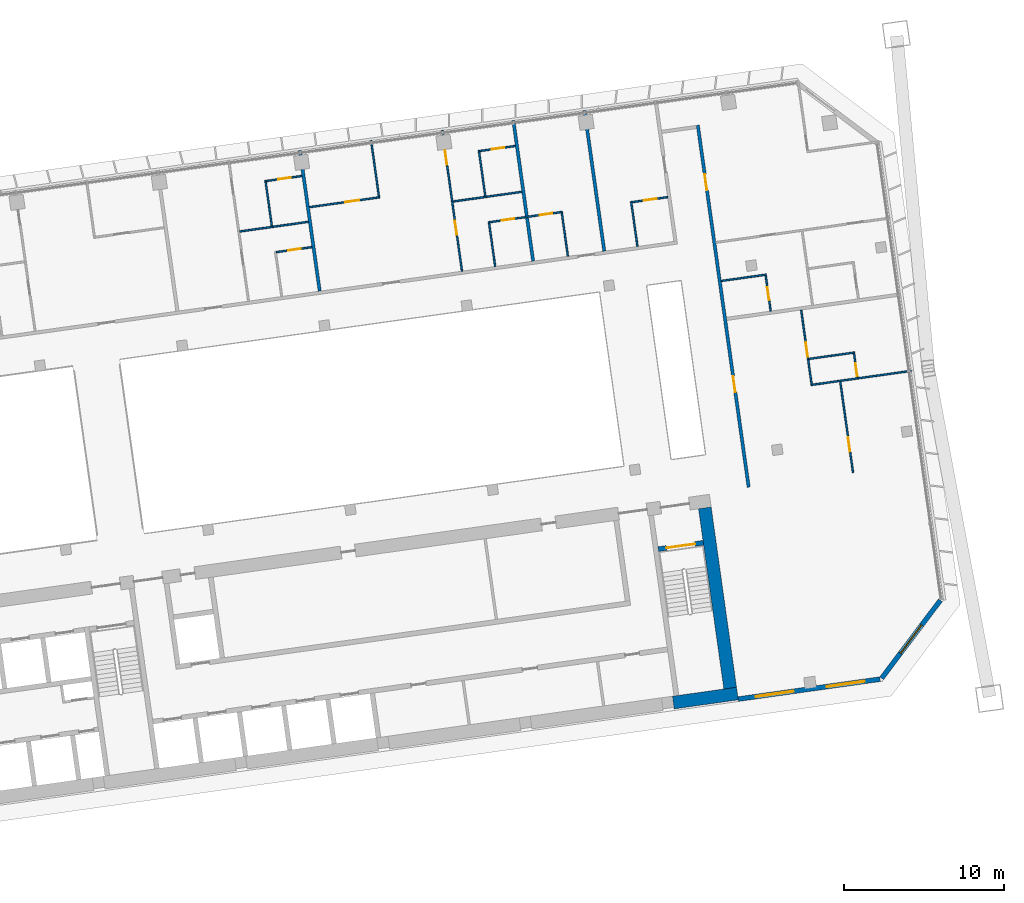
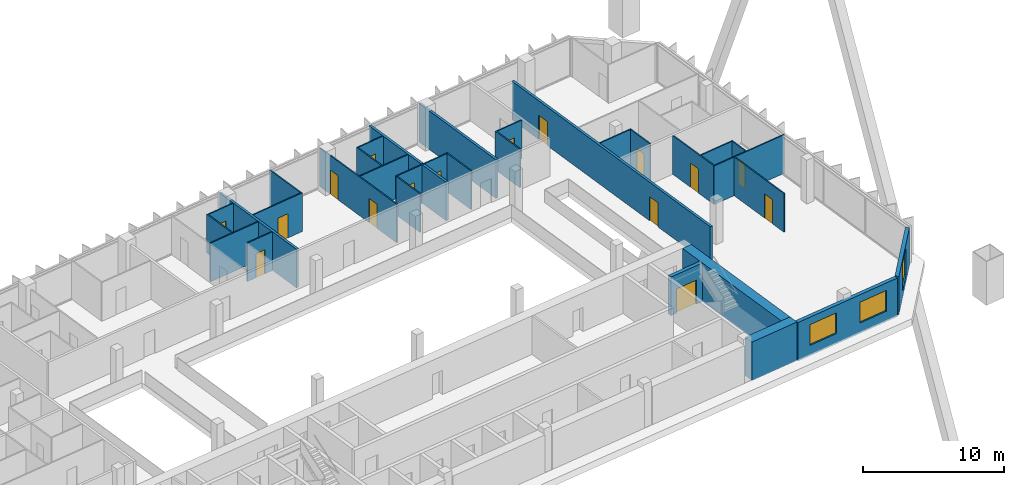
# One storey, part 29 of 33: 31 walls, 16 doors, 3 windows, 19 openings.
"""IFC4 building model written with IfcOpenShell, lengths in metres."""

from ifc_helpers import new_model, si_unit, direction, frame, frame_2d, origin, place, context, subcontext, project, spatial, rectangle, extrude, material, layer, layer_set, type_object, element, fill, save


model = new_model("IFC4")

# Units and contexts
model_context = context("Model", 3, precision=1e-05, world=origin(), true_north=direction((0.0, 1.0)))
body_context = subcontext(model_context, "Body", "Model", "MODEL_VIEW")
ifc_project = project(units=[si_unit("LENGTHUNIT", "METRE"), si_unit("AREAUNIT", "SQUARE_METRE"), si_unit("VOLUMEUNIT", "CUBIC_METRE"), si_unit("PLANEANGLEUNIT", "RADIAN"), si_unit("MASSUNIT", "GRAM", prefix="KILO")], contexts=[model_context])

# Site, building, storey
site_placement = place(None, origin())
site = spatial("IfcSite", under=ifc_project, at=site_placement, CompositionType="ELEMENT")
building_placement = place(site_placement, origin())
building = spatial("IfcBuilding", under=site, at=building_placement, Name="Mirante Cascada Hotel Towers", CompositionType="ELEMENT")
storey_placement = place(building_placement, frame((0.0, 0.0, 121.5)))
storey = spatial("IfcBuildingStorey", under=building, at=storey_placement, Name="L27", CompositionType="ELEMENT", Elevation=121.5)

# Walls
ifc_material_1 = material(Name="Fire-rated plasterboard on metal studs")
ifc_layer_1 = layer(ifc_material_1, 0.2)
ifc_layer_set_1 = layer_set([ifc_layer_1], Name="Compartment wall 200 EI 120")
wall_type_1 = type_object("IfcWallType", Name="Compartment wall 200 EI 120", PredefinedType="PARTITIONING", material=ifc_layer_set_1)
for number, where, z_axis, x_axis, name in (
    (1, (64.244, 13.0119, 0.0), (0.0, 0.0, 1.0), (-0.1391684, 0.9902687, 0.0), "Wall 2-L27-46"),
    (2, (76.374, 23.7042, 0.0), (0.0, 0.0, 1.0), (0.1391684, -0.9902687, 0.0), "Wall 2-L27-51"),
):
    element("IfcWall", number, at=place(storey_placement, frame(where, z_axis=z_axis, x_axis=x_axis)), inside=storey, type_object=wall_type_1, Name=name, PredefinedType="PARTITIONING", context=body_context, shape_type="SweptSolid", body=[
        extrude(rectangle(XDim=8.9, YDim=0.2, at=frame_2d((4.45, 0.0))), origin(), (0.0, 0.0, 1.0), 3.35),
    ])
wall_1_placement = place(storey_placement, frame((80.8302, 24.3304, 0.0), z_axis=(0.0, 0.0, 1.0), x_axis=(0.13917, -0.9902685, 0.0)))
element("IfcWall", 3, at=wall_1_placement, inside=storey, type_object=wall_type_1, Name="Wall 2-L27-53", PredefinedType="PARTITIONING", context=body_context, shape_type="SweptSolid", body=[
    extrude(rectangle(XDim=8.8999, YDim=0.2, at=frame_2d((4.45, 0.0))), origin(), (0.0, 0.0, 1.0), 3.35),
])

# Wall, openings, doors
wall_2_placement = place(storey_placement, frame((91.1145, 0.7321, 0.0), z_axis=(0.0, 0.0, 1.0), x_axis=(-0.1391706, 0.9902684, 0.0)))
wall_2 = element("IfcWall", 4, at=wall_2_placement, inside=storey, type_object=wall_type_1, Name="Wall 2-L27-56", PredefinedType="PARTITIONING", context=body_context, shape_type="SweptSolid", body=[
    extrude(rectangle(XDim=22.9, YDim=0.2, at=frame_2d((11.45, 0.0))), origin(), (0.0, 0.0, 1.0), 3.35),
])
opening_1_placement = place(wall_2_placement, frame((6.0167, 0.0, 0.0)))
opening_1 = element("IfcOpeningElement", 5, at=opening_1_placement, cuts=wall_2, Name="Opening D2-L27-35", PredefinedType="OPENING", context=body_context, shape_type="SweptSolid", body=[
    extrude(rectangle(XDim=1.0, YDim=2.1, at=frame_2d((0.5, 1.05))), frame((0.0, 0.1, 0.0), z_axis=(0.0, -1.0, 0.0), x_axis=(1.0, 0.0, 0.0)), (0.0, 0.0, 1.0), 0.2),
])
opening_2_placement = place(wall_2_placement, frame((18.8, 0.0, 0.0)))
opening_2 = element("IfcOpeningElement", 6, at=opening_2_placement, cuts=wall_2, Name="Opening D2-L27-36", PredefinedType="OPENING", context=body_context, shape_type="SweptSolid", body=[
    extrude(rectangle(XDim=1.0, YDim=2.1, at=frame_2d((0.5, 1.05))), frame((0.0, 0.1, 0.0), z_axis=(0.0, -1.0, 0.0), x_axis=(1.0, 0.0, 0.0)), (0.0, 0.0, 1.0), 0.2),
])
ifc_material_2 = material(Name="Fire-rated timber door leaf", Category="wood")
door_type_1 = type_object("IfcDoorType", Name="Entrance door DG1 1000x2100 EI 60", OperationType="SINGLE_SWING_LEFT", PredefinedType="DOOR", material=ifc_material_2)
door_1_placement = place(opening_1_placement, frame((1.0, 0.0, 0.0), z_axis=(0.0, 0.0, 1.0), x_axis=(-1.0, 0.0, 0.0)))
door_1 = element("IfcDoor", 7, at=door_1_placement, inside=storey, type_object=door_type_1, Name="Door D2-L27-35", OperationType="SINGLE_SWING_RIGHT", OverallHeight=2.1, OverallWidth=1.0, PredefinedType="DOOR", context=body_context, shape_type="SweptSolid", body=[
    extrude(rectangle(XDim=1.0, YDim=2.1, at=frame_2d((0.5, 1.05))), frame((0.0, 0.025, 0.0), z_axis=(0.0, -1.0, 0.0), x_axis=(1.0, 0.0, 0.0)), (0.0, 0.0, 1.0), 0.05),
])
fill(opening_1, door_1)
door_2_placement = place(opening_2_placement, frame((1.0, 0.0, 0.0), z_axis=(0.0, 0.0, 1.0), x_axis=(-1.0, 0.0, 0.0)))
door_2 = element("IfcDoor", 8, at=door_2_placement, inside=storey, type_object=door_type_1, Name="Door D2-L27-36", OperationType="SINGLE_SWING_RIGHT", OverallHeight=2.1, OverallWidth=1.0, PredefinedType="DOOR", context=body_context, shape_type="SweptSolid", body=[
    extrude(rectangle(XDim=1.0, YDim=2.1, at=frame_2d((0.5, 1.05))), frame((0.0, 0.025, 0.0), z_axis=(0.0, -1.0, 0.0), x_axis=(1.0, 0.0, 0.0)), (0.0, 0.0, 1.0), 0.05),
])
fill(opening_2, door_2)

# Walls
ifc_material_3 = material(Name="Plasterboard on metal studs")
ifc_layer_2 = layer(ifc_material_3, 0.1)
ifc_layer_set_2 = layer_set([ifc_layer_2], Name="Partition 100")
wall_type_2 = type_object("IfcWallType", Name="Partition 100", PredefinedType="PARTITIONING", material=ifc_layer_set_2)
wall_3_placement = place(storey_placement, frame((95.0111, 7.1367, 0.0), z_axis=(0.0, 0.0, 1.0), x_axis=(0.990267, 0.139181, 0.0)))
element("IfcWall", 9, at=wall_3_placement, inside=storey, type_object=wall_type_2, Name="Wall 2-L27-04", PredefinedType="PARTITIONING", context=body_context, shape_type="SweptSolid", body=[
    extrude(rectangle(XDim=6.35, YDim=0.1, at=frame_2d((3.175, 0.0))), origin(), (0.0, 0.0, 1.0), 3.35),
])
wall_4_placement = place(storey_placement, frame((97.7546, 9.1716, 0.0), z_axis=(0.0, 0.0, 1.0), x_axis=(-0.9902683, -0.1391714, 0.0)))
element("IfcWall", 10, at=wall_4_placement, inside=storey, type_object=wall_type_2, Name="Wall 2-L27-05", PredefinedType="PARTITIONING", context=body_context, shape_type="SweptSolid", body=[
    extrude(rectangle(XDim=2.9, YDim=0.1, at=frame_2d((1.45, 0.0))), origin(), (0.0, 0.0, 1.0), 3.35),
])
wall_5_placement = place(storey_placement, frame((89.3997, 13.6525, 0.0), z_axis=(0.0, 0.0, 1.0), x_axis=(0.9902697, 0.1391613, 0.0)))
element("IfcWall", 11, at=wall_5_placement, inside=storey, type_object=wall_type_2, Name="Wall 2-L27-12", PredefinedType="PARTITIONING", context=body_context, shape_type="SweptSolid", body=[
    extrude(rectangle(XDim=2.8499, YDim=0.1, at=frame_2d((1.425, 0.0))), origin(), (0.0, 0.0, 1.0), 3.35),
])

# Wall, opening, door
wall_6_placement = place(storey_placement, frame((61.5272, 15.4576, 0.0), z_axis=(0.0, 0.0, 1.0), x_axis=(0.9902643, 0.1391997, 0.0)))
wall_6 = element("IfcWall", 12, at=wall_6_placement, inside=storey, type_object=wall_type_2, Name="Wall 2-L27-18", PredefinedType="PARTITIONING", context=body_context, shape_type="SweptSolid", body=[
    extrude(rectangle(XDim=2.25, YDim=0.1, at=frame_2d((1.125, 0.0))), origin(), (0.0, 0.0, 1.0), 3.35),
])
opening_3_placement = place(wall_6_placement, frame((0.75, 0.0, 0.0)))
opening_3 = element("IfcOpeningElement", 13, at=opening_3_placement, cuts=wall_6, Name="Opening D2-L27-14", PredefinedType="OPENING", context=body_context, shape_type="SweptSolid", body=[
    extrude(rectangle(XDim=0.8, YDim=2.1, at=frame_2d((0.4, 1.05))), frame((0.0, 0.05, 0.0), z_axis=(0.0, -1.0, 0.0), x_axis=(1.0, 0.0, 0.0)), (0.0, 0.0, 1.0), 0.1),
])
ifc_material_4 = material(Name="Timber door leaf", Category="wood")
door_type_2 = type_object("IfcDoorType", Name="Bathroom door DG4 800x2100", OperationType="SINGLE_SWING_LEFT", PredefinedType="DOOR", material=ifc_material_4)
door_3_placement = place(opening_3_placement, frame((0.8, 0.0, 0.0), z_axis=(0.0, 0.0, 1.0), x_axis=(-1.0, 0.0, 0.0)))
door_3 = element("IfcDoor", 14, at=door_3_placement, inside=storey, type_object=door_type_2, Name="Door D2-L27-14", OperationType="SINGLE_SWING_RIGHT", OverallHeight=2.1, OverallWidth=0.8, PredefinedType="DOOR", context=body_context, shape_type="SweptSolid", body=[
    extrude(rectangle(XDim=0.8, YDim=2.1, at=frame_2d((0.4, 1.05))), frame((0.0, 0.025, 0.0), z_axis=(0.0, -1.0, 0.0), x_axis=(1.0, 0.0, 0.0)), (0.0, 0.0, 1.0), 0.05),
])
fill(opening_3, door_3)

# Wall, openings, doors
wall_7_placement = place(storey_placement, frame((79.451, 17.9767, 0.0), z_axis=(0.0, 0.0, 1.0), x_axis=(-0.9902682, -0.139172, 0.0)))
wall_7 = element("IfcWall", 15, at=wall_7_placement, inside=storey, type_object=wall_type_2, Name="Wall 2-L27-19", PredefinedType="PARTITIONING", context=body_context, shape_type="SweptSolid", body=[
    extrude(rectangle(XDim=4.6999, YDim=0.1, at=frame_2d((2.35, 0.0))), origin(), (0.0, 0.0, 1.0), 3.35),
])
opening_4_placement = place(wall_7_placement, frame((3.05, 0.0, 0.0)))
opening_4 = element("IfcOpeningElement", 16, at=opening_4_placement, cuts=wall_7, Name="Opening D2-L27-15", PredefinedType="OPENING", context=body_context, shape_type="SweptSolid", body=[
    extrude(rectangle(XDim=0.8, YDim=2.1, at=frame_2d((0.4, 1.05))), frame((0.0, 0.05, 0.0), z_axis=(0.0, -1.0, 0.0), x_axis=(1.0, 0.0, 0.0)), (0.0, 0.0, 1.0), 0.1),
])
opening_5_placement = place(wall_7_placement, frame((0.65, 0.0, 0.0)))
opening_5 = element("IfcOpeningElement", 17, at=opening_5_placement, cuts=wall_7, Name="Opening D2-L27-16", PredefinedType="OPENING", context=body_context, shape_type="SweptSolid", body=[
    extrude(rectangle(XDim=0.8, YDim=2.1, at=frame_2d((0.4, 1.05))), frame((0.0, 0.05, 0.0), z_axis=(0.0, -1.0, 0.0), x_axis=(1.0, 0.0, 0.0)), (0.0, 0.0, 1.0), 0.1),
])
door_4_placement = place(opening_4_placement, origin())
door_4 = element("IfcDoor", 18, at=door_4_placement, inside=storey, type_object=door_type_2, Name="Door D2-L27-15", OperationType="SINGLE_SWING_LEFT", OverallHeight=2.1, OverallWidth=0.8, PredefinedType="DOOR", context=body_context, shape_type="SweptSolid", body=[
    extrude(rectangle(XDim=0.8, YDim=2.1, at=frame_2d((0.4, 1.05))), frame((0.0, 0.025, 0.0), z_axis=(0.0, -1.0, 0.0), x_axis=(1.0, 0.0, 0.0)), (0.0, 0.0, 1.0), 0.05),
])
fill(opening_4, door_4)
door_5_placement = place(opening_5_placement, frame((0.8, 0.0, 0.0), z_axis=(0.0, 0.0, 1.0), x_axis=(-1.0, 0.0, 0.0)))
door_5 = element("IfcDoor", 19, at=door_5_placement, inside=storey, type_object=door_type_2, Name="Door D2-L27-16", OperationType="SINGLE_SWING_RIGHT", OverallHeight=2.1, OverallWidth=0.8, PredefinedType="DOOR", context=body_context, shape_type="SweptSolid", body=[
    extrude(rectangle(XDim=0.8, YDim=2.1, at=frame_2d((0.4, 1.05))), frame((0.0, 0.025, 0.0), z_axis=(0.0, -1.0, 0.0), x_axis=(1.0, 0.0, 0.0)), (0.0, 0.0, 1.0), 0.05),
])
fill(opening_5, door_5)

# Wall, opening, door
wall_8_placement = place(storey_placement, frame((83.8082, 18.589, 0.0), z_axis=(0.0, 0.0, 1.0), x_axis=(0.9902643, 0.1391997, 0.0)))
wall_8 = element("IfcWall", 20, at=wall_8_placement, inside=storey, type_object=wall_type_2, Name="Wall 2-L27-20", PredefinedType="PARTITIONING", context=body_context, shape_type="SweptSolid", body=[
    extrude(rectangle(XDim=2.25, YDim=0.1, at=frame_2d((1.125, 0.0))), origin(), (0.0, 0.0, 1.0), 3.35),
])
opening_6_placement = place(wall_8_placement, frame((0.75, 0.0, 0.0)))
opening_6 = element("IfcOpeningElement", 21, at=opening_6_placement, cuts=wall_8, Name="Opening D2-L27-17", PredefinedType="OPENING", context=body_context, shape_type="SweptSolid", body=[
    extrude(rectangle(XDim=0.8, YDim=2.1, at=frame_2d((0.4, 1.05))), frame((0.0, 0.05, 0.0), z_axis=(0.0, -1.0, 0.0), x_axis=(1.0, 0.0, 0.0)), (0.0, 0.0, 1.0), 0.1),
])
door_6_placement = place(opening_6_placement, origin())
door_6 = element("IfcDoor", 22, at=door_6_placement, inside=storey, type_object=door_type_2, Name="Door D2-L27-17", OperationType="SINGLE_SWING_LEFT", OverallHeight=2.1, OverallWidth=0.8, PredefinedType="DOOR", context=body_context, shape_type="SweptSolid", body=[
    extrude(rectangle(XDim=0.8, YDim=2.1, at=frame_2d((0.4, 1.05))), frame((0.0, 0.025, 0.0), z_axis=(0.0, -1.0, 0.0), x_axis=(1.0, 0.0, 0.0)), (0.0, 0.0, 1.0), 0.05),
])
fill(opening_6, door_6)

# Walls
wall_9_placement = place(storey_placement, frame((59.2249, 16.7498, 0.0), z_axis=(0.0, 0.0, 1.0), x_axis=(0.9902683, 0.1391714, 0.0)))
element("IfcWall", 23, at=wall_9_placement, inside=storey, type_object=wall_type_2, Name="Wall 2-L27-22", PredefinedType="PARTITIONING", context=body_context, shape_type="SweptSolid", body=[
    extrude(rectangle(XDim=4.35, YDim=0.1, at=frame_2d((2.175, 0.0))), origin(), (0.0, 0.0, 1.0), 3.35),
])
wall_10_placement = place(storey_placement, frame((76.9012, 19.234, 0.0), z_axis=(0.0, 0.0, 1.0), x_axis=(-0.9902679, -0.1391745, 0.0)))
element("IfcWall", 24, at=wall_10_placement, inside=storey, type_object=wall_type_2, Name="Wall 2-L27-23", PredefinedType="PARTITIONING", context=body_context, shape_type="SweptSolid", body=[
    extrude(rectangle(XDim=4.3499, YDim=0.1, at=frame_2d((2.175, 0.0))), origin(), (0.0, 0.0, 1.0), 3.35),
])

# Wall, opening, door
wall_11_placement = place(storey_placement, frame((63.6054, 18.2743, 0.0), z_axis=(0.0, 0.0, 1.0), x_axis=(0.9902687, 0.1391684, 0.0)))
wall_11 = element("IfcWall", 25, at=wall_11_placement, inside=storey, type_object=wall_type_2, Name="Wall 2-L27-26", PredefinedType="PARTITIONING", context=body_context, shape_type="SweptSolid", body=[
    extrude(rectangle(XDim=4.45, YDim=0.1, at=frame_2d((2.225, 0.0))), origin(), (0.0, 0.0, 1.0), 3.35),
])
opening_7_placement = place(wall_11_placement, frame((2.25, 0.0, 0.0)))
opening_7 = element("IfcOpeningElement", 26, at=opening_7_placement, cuts=wall_11, Name="Opening D2-L27-19", PredefinedType="OPENING", context=body_context, shape_type="SweptSolid", body=[
    extrude(rectangle(XDim=0.9, YDim=2.1, at=frame_2d((0.45, 1.05))), frame((0.0, 0.05, 0.0), z_axis=(0.0, -1.0, 0.0), x_axis=(1.0, 0.0, 0.0)), (0.0, 0.0, 1.0), 0.1),
])
ifc_material_5 = material(Name="Timber door leaf", Category="wood")
door_type_3 = type_object("IfcDoorType", Name="Room door DG3 900x2100", OperationType="SINGLE_SWING_LEFT", PredefinedType="DOOR", material=ifc_material_5)
door_7_placement = place(opening_7_placement, frame((0.9, 0.0, 0.0), z_axis=(0.0, 0.0, 1.0), x_axis=(-1.0, 0.0, 0.0)))
door_7 = element("IfcDoor", 27, at=door_7_placement, inside=storey, type_object=door_type_3, Name="Door D2-L27-19", OperationType="SINGLE_SWING_RIGHT", OverallHeight=2.1, OverallWidth=0.9, PredefinedType="DOOR", context=body_context, shape_type="SweptSolid", body=[
    extrude(rectangle(XDim=0.9, YDim=2.1, at=frame_2d((0.45, 1.05))), frame((0.0, 0.025, 0.0), z_axis=(0.0, -1.0, 0.0), x_axis=(1.0, 0.0, 0.0)), (0.0, 0.0, 1.0), 0.05),
])
fill(opening_7, door_7)

wall_12_placement = place(storey_placement, frame((60.9009, 19.9138, 0.0), z_axis=(0.0, 0.0, 1.0), x_axis=(0.9902643, 0.1391997, 0.0)))
wall_12 = element("IfcWall", 28, at=wall_12_placement, inside=storey, type_object=wall_type_2, Name="Wall 2-L27-30", PredefinedType="PARTITIONING", context=body_context, shape_type="SweptSolid", body=[
    extrude(rectangle(XDim=2.25, YDim=0.1, at=frame_2d((1.125, 0.0))), origin(), (0.0, 0.0, 1.0), 3.35),
])
opening_8_placement = place(wall_12_placement, frame((0.75, 0.0, 0.0)))
opening_8 = element("IfcOpeningElement", 29, at=opening_8_placement, cuts=wall_12, Name="Opening D2-L27-21", PredefinedType="OPENING", context=body_context, shape_type="SweptSolid", body=[
    extrude(rectangle(XDim=0.8, YDim=2.1, at=frame_2d((0.4, 1.05))), frame((0.0, 0.05, 0.0), z_axis=(0.0, -1.0, 0.0), x_axis=(1.0, 0.0, 0.0)), (0.0, 0.0, 1.0), 0.1),
])
door_8_placement = place(opening_8_placement, frame((0.8, 0.0, 0.0), z_axis=(0.0, 0.0, 1.0), x_axis=(-1.0, 0.0, 0.0)))
door_8 = element("IfcDoor", 30, at=door_8_placement, inside=storey, type_object=door_type_2, Name="Door D2-L27-21", OperationType="SINGLE_SWING_RIGHT", OverallHeight=2.1, OverallWidth=0.8, PredefinedType="DOOR", context=body_context, shape_type="SweptSolid", body=[
    extrude(rectangle(XDim=0.8, YDim=2.1, at=frame_2d((0.4, 1.05))), frame((0.0, 0.025, 0.0), z_axis=(0.0, -1.0, 0.0), x_axis=(1.0, 0.0, 0.0)), (0.0, 0.0, 1.0), 0.05),
])
fill(opening_8, door_8)

wall_13_placement = place(storey_placement, frame((76.4976, 22.1058, 0.0), z_axis=(0.0, 0.0, 1.0), x_axis=(-0.9902705, -0.1391561, 0.0)))
wall_13 = element("IfcWall", 31, at=wall_13_placement, inside=storey, type_object=wall_type_2, Name="Wall 2-L27-31", PredefinedType="PARTITIONING", context=body_context, shape_type="SweptSolid", body=[
    extrude(rectangle(XDim=2.25, YDim=0.1, at=frame_2d((1.125, 0.0))), origin(), (0.0, 0.0, 1.0), 3.35),
])
opening_9_placement = place(wall_13_placement, frame((0.7, 0.0, 0.0)))
opening_9 = element("IfcOpeningElement", 32, at=opening_9_placement, cuts=wall_13, Name="Opening D2-L27-22", PredefinedType="OPENING", context=body_context, shape_type="SweptSolid", body=[
    extrude(rectangle(XDim=0.8, YDim=2.1, at=frame_2d((0.4, 1.05))), frame((0.0, 0.05, 0.0), z_axis=(0.0, -1.0, 0.0), x_axis=(1.0, 0.0, 0.0)), (0.0, 0.0, 1.0), 0.1),
])
door_9_placement = place(opening_9_placement, origin())
door_9 = element("IfcDoor", 33, at=door_9_placement, inside=storey, type_object=door_type_2, Name="Door D2-L27-22", OperationType="SINGLE_SWING_LEFT", OverallHeight=2.1, OverallWidth=0.8, PredefinedType="DOOR", context=body_context, shape_type="SweptSolid", body=[
    extrude(rectangle(XDim=0.8, YDim=2.1, at=frame_2d((0.4, 1.05))), frame((0.0, 0.025, 0.0), z_axis=(0.0, -1.0, 0.0), x_axis=(1.0, 0.0, 0.0)), (0.0, 0.0, 1.0), 0.05),
])
fill(opening_9, door_9)

# Walls
wall_14_placement = place(storey_placement, frame((60.8444, 19.9564, 0.0), z_axis=(0.0, 0.0, 1.0), x_axis=(0.1391714, -0.9902683, 0.0)))
element("IfcWall", 34, at=wall_14_placement, inside=storey, type_object=wall_type_2, Name="Wall 2-L27-45", PredefinedType="PARTITIONING", context=body_context, shape_type="SweptSolid", body=[
    extrude(rectangle(XDim=2.9, YDim=0.1, at=frame_2d((1.45, 0.0))), origin(), (0.0, 0.0, 1.0), 3.35),
])
wall_15_placement = place(storey_placement, frame((67.4616, 22.4516, 0.0), z_axis=(0.0, 0.0, 1.0), x_axis=(0.1391573, -0.9902703, 0.0)))
element("IfcWall", 35, at=wall_15_placement, inside=storey, type_object=wall_type_2, Name="Wall 2-L27-47", PredefinedType="PARTITIONING", context=body_context, shape_type="SweptSolid", body=[
    extrude(rectangle(XDim=3.5499, YDim=0.1, at=frame_2d((1.775, 0.0))), origin(), (0.0, 0.0, 1.0), 3.35),
])

# Wall, openings, doors
wall_16_placement = place(storey_placement, frame((73.1564, 14.2645, 0.0), z_axis=(0.0, 0.0, 1.0), x_axis=(-0.1391684, 0.9902687, 0.0)))
wall_16 = element("IfcWall", 36, at=wall_16_placement, inside=storey, type_object=wall_type_2, Name="Wall 2-L27-48", PredefinedType="PARTITIONING", context=body_context, shape_type="SweptSolid", body=[
    extrude(rectangle(XDim=8.9, YDim=0.1, at=frame_2d((4.45, 0.0))), origin(), (0.0, 0.0, 1.0), 3.35),
])
opening_10_placement = place(wall_16_placement, frame((2.3, 0.0, 0.0)))
opening_10 = element("IfcOpeningElement", 37, at=opening_10_placement, cuts=wall_16, Name="Opening D2-L27-32", PredefinedType="OPENING", context=body_context, shape_type="SweptSolid", body=[
    extrude(rectangle(XDim=0.9, YDim=2.1, at=frame_2d((0.45, 1.05))), frame((0.0, 0.05, 0.0), z_axis=(0.0, -1.0, 0.0), x_axis=(1.0, 0.0, 0.0)), (0.0, 0.0, 1.0), 0.1),
])
opening_11_placement = place(wall_16_placement, frame((6.75, 0.0, 0.0)))
opening_11 = element("IfcOpeningElement", 38, at=opening_11_placement, cuts=wall_16, Name="Opening D2-L27-33", PredefinedType="OPENING", context=body_context, shape_type="SweptSolid", body=[
    extrude(rectangle(XDim=0.9, YDim=2.1, at=frame_2d((0.45, 1.05))), frame((0.0, 0.05, 0.0), z_axis=(0.0, -1.0, 0.0), x_axis=(1.0, 0.0, 0.0)), (0.0, 0.0, 1.0), 0.1),
])
door_10_placement = place(opening_10_placement, origin())
door_10 = element("IfcDoor", 39, at=door_10_placement, inside=storey, type_object=door_type_3, Name="Door D2-L27-32", OperationType="SINGLE_SWING_LEFT", OverallHeight=2.1, OverallWidth=0.9, PredefinedType="DOOR", context=body_context, shape_type="SweptSolid", body=[
    extrude(rectangle(XDim=0.9, YDim=2.1, at=frame_2d((0.45, 1.05))), frame((0.0, 0.025, 0.0), z_axis=(0.0, -1.0, 0.0), x_axis=(1.0, 0.0, 0.0)), (0.0, 0.0, 1.0), 0.05),
])
fill(opening_10, door_10)
door_11_placement = place(opening_11_placement, origin())
door_11 = element("IfcDoor", 40, at=door_11_placement, inside=storey, type_object=door_type_3, Name="Door D2-L27-33", OperationType="SINGLE_SWING_LEFT", OverallHeight=2.1, OverallWidth=0.9, PredefinedType="DOOR", context=body_context, shape_type="SweptSolid", body=[
    extrude(rectangle(XDim=0.9, YDim=2.1, at=frame_2d((0.45, 1.05))), frame((0.0, 0.025, 0.0), z_axis=(0.0, -1.0, 0.0), x_axis=(1.0, 0.0, 0.0)), (0.0, 0.0, 1.0), 0.05),
])
fill(opening_11, door_11)

# Walls
wall_17_placement = place(storey_placement, frame((74.8533, 17.28, 0.0), z_axis=(0.0, 0.0, 1.0), x_axis=(0.1391657, -0.9902691, 0.0)))
element("IfcWall", 41, at=wall_17_placement, inside=storey, type_object=wall_type_2, Name="Wall 2-L27-49", PredefinedType="PARTITIONING", context=body_context, shape_type="SweptSolid", body=[
    extrude(rectangle(XDim=2.75, YDim=0.1, at=frame_2d((1.375, 0.0))), origin(), (0.0, 0.0, 1.0), 3.35),
])
wall_18_placement = place(storey_placement, frame((74.6167, 18.9635, 0.0), z_axis=(0.0, 0.0, 1.0), x_axis=(-0.1391761, 0.9902676, 0.0)))
element("IfcWall", 42, at=wall_18_placement, inside=storey, type_object=wall_type_2, Name="Wall 2-L27-50", PredefinedType="PARTITIONING", context=body_context, shape_type="SweptSolid", body=[
    extrude(rectangle(XDim=2.8999, YDim=0.1, at=frame_2d((1.45, 0.0))), origin(), (0.0, 0.0, 1.0), 3.35),
])
wall_19_placement = place(storey_placement, frame((79.7912, 15.197, 0.0), z_axis=(0.0, 0.0, 1.0), x_axis=(-0.1391657, 0.9902691, 0.0)))
element("IfcWall", 43, at=wall_19_placement, inside=storey, type_object=wall_type_2, Name="Wall 2-L27-52", PredefinedType="PARTITIONING", context=body_context, shape_type="SweptSolid", body=[
    extrude(rectangle(XDim=2.75, YDim=0.1, at=frame_2d((1.375, 0.0))), origin(), (0.0, 0.0, 1.0), 3.35),
])
wall_20_placement = place(storey_placement, frame((84.1484, 15.8093, 0.0), z_axis=(0.0, 0.0, 1.0), x_axis=(-0.1391909, 0.9902656, 0.0)))
element("IfcWall", 44, at=wall_20_placement, inside=storey, type_object=wall_type_2, Name="Wall 2-L27-54", PredefinedType="PARTITIONING", context=body_context, shape_type="SweptSolid", body=[
    extrude(rectangle(XDim=2.85, YDim=0.1, at=frame_2d((1.425, 0.0))), origin(), (0.0, 0.0, 1.0), 3.35),
])

# Wall, opening, door
wall_21_placement = place(storey_placement, frame((92.1794, 13.9926, 0.0), z_axis=(0.0, 0.0, 1.0), x_axis=(0.1391561, -0.9902705, 0.0)))
wall_21 = element("IfcWall", 45, at=wall_21_placement, inside=storey, type_object=wall_type_2, Name="Wall 2-L27-57", PredefinedType="PARTITIONING", context=body_context, shape_type="SweptSolid", body=[
    extrude(rectangle(XDim=2.25, YDim=0.1, at=frame_2d((1.125, 0.0))), origin(), (0.0, 0.0, 1.0), 3.35),
])
opening_12_placement = place(wall_21_placement, frame((0.75, 0.0, 0.0)))
opening_12 = element("IfcOpeningElement", 46, at=opening_12_placement, cuts=wall_21, Name="Opening D2-L27-37", PredefinedType="OPENING", context=body_context, shape_type="SweptSolid", body=[
    extrude(rectangle(XDim=0.8, YDim=2.1, at=frame_2d((0.4, 1.05))), frame((0.0, 0.05, 0.0), z_axis=(0.0, -1.0, 0.0), x_axis=(1.0, 0.0, 0.0)), (0.0, 0.0, 1.0), 0.1),
])
door_12_placement = place(opening_12_placement, frame((0.8, 0.0, 0.0), z_axis=(0.0, 0.0, 1.0), x_axis=(-1.0, 0.0, 0.0)))
door_12 = element("IfcDoor", 47, at=door_12_placement, inside=storey, type_object=door_type_2, Name="Door D2-L27-37", OperationType="SINGLE_SWING_RIGHT", OverallHeight=2.1, OverallWidth=0.8, PredefinedType="DOOR", context=body_context, shape_type="SweptSolid", body=[
    extrude(rectangle(XDim=0.8, YDim=2.1, at=frame_2d((0.4, 1.05))), frame((0.0, 0.025, 0.0), z_axis=(0.0, -1.0, 0.0), x_axis=(1.0, 0.0, 0.0)), (0.0, 0.0, 1.0), 0.05),
])
fill(opening_12, door_12)

wall_22_placement = place(storey_placement, frame((95.0537, 7.1932, 0.0), z_axis=(0.0, 0.0, 1.0), x_axis=(-0.139176, 0.9902677, 0.0)))
wall_22 = element("IfcWall", 48, at=wall_22_placement, inside=storey, type_object=wall_type_2, Name="Wall 2-L27-58", PredefinedType="PARTITIONING", context=body_context, shape_type="SweptSolid", body=[
    extrude(rectangle(XDim=4.6833, YDim=0.1, at=frame_2d((2.3416, 0.0))), origin(), (0.0, 0.0, 1.0), 3.35),
])
opening_13_placement = place(wall_22_placement, frame((1.7333, 0.0, 0.0)))
opening_13 = element("IfcOpeningElement", 49, at=opening_13_placement, cuts=wall_22, Name="Opening D2-L27-38", PredefinedType="OPENING", context=body_context, shape_type="SweptSolid", body=[
    extrude(rectangle(XDim=0.9, YDim=2.1, at=frame_2d((0.45, 1.05))), frame((0.0, 0.05, 0.0), z_axis=(0.0, -1.0, 0.0), x_axis=(1.0, 0.0, 0.0)), (0.0, 0.0, 1.0), 0.1),
])
door_13_placement = place(opening_13_placement, origin())
door_13 = element("IfcDoor", 50, at=door_13_placement, inside=storey, type_object=door_type_3, Name="Door D2-L27-38", OperationType="SINGLE_SWING_LEFT", OverallHeight=2.1, OverallWidth=0.9, PredefinedType="DOOR", context=body_context, shape_type="SweptSolid", body=[
    extrude(rectangle(XDim=0.9, YDim=2.1, at=frame_2d((0.45, 1.05))), frame((0.0, 0.025, 0.0), z_axis=(0.0, -1.0, 0.0), x_axis=(1.0, 0.0, 0.0)), (0.0, 0.0, 1.0), 0.05),
])
fill(opening_13, door_13)

wall_23_placement = place(storey_placement, frame((97.6503, 1.6506, 0.0), z_axis=(0.0, 0.0, 1.0), x_axis=(-0.139164, 0.9902694, 0.0)))
wall_23 = element("IfcWall", 51, at=wall_23_placement, inside=storey, type_object=wall_type_2, Name="Wall 2-L27-60", PredefinedType="PARTITIONING", context=body_context, shape_type="SweptSolid", body=[
    extrude(rectangle(XDim=5.7501, YDim=0.1, at=frame_2d((2.875, 0.0))), origin(), (0.0, 0.0, 1.0), 3.35),
])
opening_14_placement = place(wall_23_placement, frame((1.3333, 0.0, 0.0)))
opening_14 = element("IfcOpeningElement", 52, at=opening_14_placement, cuts=wall_23, Name="Opening D2-L27-39", PredefinedType="OPENING", context=body_context, shape_type="SweptSolid", body=[
    extrude(rectangle(XDim=0.9, YDim=2.1, at=frame_2d((0.45, 1.05))), frame((0.0, 0.05, 0.0), z_axis=(0.0, -1.0, 0.0), x_axis=(1.0, 0.0, 0.0)), (0.0, 0.0, 1.0), 0.1),
])
door_14_placement = place(opening_14_placement, origin())
door_14 = element("IfcDoor", 53, at=door_14_placement, inside=storey, type_object=door_type_3, Name="Door D2-L27-39", OperationType="SINGLE_SWING_LEFT", OverallHeight=2.1, OverallWidth=0.9, PredefinedType="DOOR", context=body_context, shape_type="SweptSolid", body=[
    extrude(rectangle(XDim=0.9, YDim=2.1, at=frame_2d((0.45, 1.05))), frame((0.0, 0.025, 0.0), z_axis=(0.0, -1.0, 0.0), x_axis=(1.0, 0.0, 0.0)), (0.0, 0.0, 1.0), 0.05),
])
fill(opening_14, door_14)

wall_24_placement = place(storey_placement, frame((97.9254, 7.5968, 0.0), z_axis=(0.0, 0.0, 1.0), x_axis=(-0.1391749, 0.9902678, 0.0)))
wall_24 = element("IfcWall", 54, at=wall_24_placement, inside=storey, type_object=wall_type_2, Name="Wall 2-L27-62", PredefinedType="PARTITIONING", context=body_context, shape_type="SweptSolid", body=[
    extrude(rectangle(XDim=1.5333, YDim=0.1, at=frame_2d((0.7667, 0.0))), origin(), (0.0, 0.0, 1.0), 3.35),
])
opening_15_placement = place(wall_24_placement, frame((0.1, 0.0, 0.0)))
opening_15 = element("IfcOpeningElement", 55, at=opening_15_placement, cuts=wall_24, Name="Opening D2-L27-41", PredefinedType="OPENING", context=body_context, shape_type="SweptSolid", body=[
    extrude(rectangle(XDim=0.8, YDim=2.1, at=frame_2d((0.4, 1.05))), frame((0.0, 0.05, 0.0), z_axis=(0.0, -1.0, 0.0), x_axis=(1.0, 0.0, 0.0)), (0.0, 0.0, 1.0), 0.1),
])
door_15_placement = place(opening_15_placement, frame((0.8, 0.0, 0.0), z_axis=(0.0, 0.0, 1.0), x_axis=(-1.0, 0.0, 0.0)))
door_15 = element("IfcDoor", 56, at=door_15_placement, inside=storey, type_object=door_type_2, Name="Door D2-L27-41", OperationType="SINGLE_SWING_RIGHT", OverallHeight=2.1, OverallWidth=0.8, PredefinedType="DOOR", context=body_context, shape_type="SweptSolid", body=[
    extrude(rectangle(XDim=0.8, YDim=2.1, at=frame_2d((0.4, 1.05))), frame((0.0, 0.025, 0.0), z_axis=(0.0, -1.0, 0.0), x_axis=(1.0, 0.0, 0.0)), (0.0, 0.0, 1.0), 0.05),
])
fill(opening_15, door_15)

# Wall, openings, windows
ifc_material_6 = material(Name="Precast concrete C40/50", Category="concrete")
ifc_layer_3 = layer(ifc_material_6, 0.3)
ifc_layer_set_3 = layer_set([ifc_layer_3], Name="Precast concrete C40/50 cladding wall 300")
wall_type_3 = type_object("IfcWallType", Name="Precast concrete C40/50 cladding wall 300", PredefinedType="STANDARD", material=ifc_layer_set_3)
wall_25_placement = place(storey_placement, frame((90.4551, -12.5388, 0.0), z_axis=(0.0, 0.0, 1.0), x_axis=(0.9902678, 0.1391749, 0.0)))
wall_25 = element("IfcWall", 57, at=wall_25_placement, inside=storey, type_object=wall_type_3, Name="Rear cladding wall T2 L27 1", PredefinedType="STANDARD", context=body_context, shape_type="SweptSolid", body=[
    extrude(rectangle(XDim=8.9758, YDim=0.3, at=frame_2d((4.4879, 0.0))), origin(), (0.0, 0.0, 1.0), 3.35),
])
opening_16_placement = place(wall_25_placement, frame((1.1012, 0.0, 0.9)))
opening_16 = element("IfcOpeningElement", 58, at=opening_16_placement, cuts=wall_25, Name="Opening W2-27-01", PredefinedType="OPENING", context=body_context, shape_type="SweptSolid", body=[
    extrude(rectangle(XDim=2.4, YDim=1.8, at=frame_2d((1.2, 0.9))), frame((0.0, 0.15, 0.0), z_axis=(0.0, -1.0, 0.0), x_axis=(1.0, 0.0, 0.0)), (0.0, 0.0, 1.0), 0.3),
])
opening_17_placement = place(wall_25_placement, frame((5.5923, 0.0, 0.9)))
opening_17 = element("IfcOpeningElement", 59, at=opening_17_placement, cuts=wall_25, Name="Opening W2-27-02", PredefinedType="OPENING", context=body_context, shape_type="SweptSolid", body=[
    extrude(rectangle(XDim=2.4, YDim=1.8, at=frame_2d((1.2, 0.9))), frame((0.0, 0.15, 0.0), z_axis=(0.0, -1.0, 0.0), x_axis=(1.0, 0.0, 0.0)), (0.0, 0.0, 1.0), 0.3),
])
ifc_material_7 = material(Name="Aluminium frame with clear double glazing", Category="aluminium")
window_type_1 = type_object("IfcWindowType", Name="Punched window 2400x1800", PartitioningType="DOUBLE_PANEL_VERTICAL", PredefinedType="WINDOW", material=ifc_material_7)
window_1_placement = place(opening_16_placement, origin())
window_1 = element("IfcWindow", 60, at=window_1_placement, inside=storey, type_object=window_type_1, Name="Window W2-27-01", OverallHeight=1.8, OverallWidth=2.4, PartitioningType="SINGLE_PANEL", PredefinedType="WINDOW", context=body_context, shape_type="SweptSolid", body=[
    extrude(rectangle(XDim=2.4, YDim=1.8, at=frame_2d((1.2, 0.9))), frame((0.0, 0.03, 0.0), z_axis=(0.0, -1.0, 0.0), x_axis=(1.0, 0.0, 0.0)), (0.0, 0.0, 1.0), 0.06),
])
fill(opening_16, window_1)
window_2_placement = place(opening_17_placement, origin())
window_2 = element("IfcWindow", 61, at=window_2_placement, inside=storey, type_object=window_type_1, Name="Window W2-27-02", OverallHeight=1.8, OverallWidth=2.4, PartitioningType="SINGLE_PANEL", PredefinedType="WINDOW", context=body_context, shape_type="SweptSolid", body=[
    extrude(rectangle(XDim=2.4, YDim=1.8, at=frame_2d((1.2, 0.9))), frame((0.0, 0.03, 0.0), z_axis=(0.0, -1.0, 0.0), x_axis=(1.0, 0.0, 0.0)), (0.0, 0.0, 1.0), 0.06),
])
fill(opening_17, window_2)

# Wall, opening, window
wall_26_placement = place(storey_placement, frame((99.4424, -11.2313, 0.0), z_axis=(0.0, 0.0, 1.0), x_axis=(0.6018194, 0.7986322, 0.0)))
wall_26 = element("IfcWall", 62, at=wall_26_placement, inside=storey, type_object=wall_type_3, Name="Corner cladding wall T2 L27 rear outer", PredefinedType="STANDARD", context=body_context, shape_type="SweptSolid", body=[
    extrude(rectangle(XDim=6.1155, YDim=0.3, at=frame_2d((3.0578, 0.0))), origin(), (0.0, 0.0, 1.0), 3.35),
])
opening_18_placement = place(wall_26_placement, frame((1.9576, 0.0, 0.6)))
opening_18 = element("IfcOpeningElement", 63, at=opening_18_placement, cuts=wall_26, Name="Opening W2-27-03", PredefinedType="OPENING", context=body_context, shape_type="SweptSolid", body=[
    extrude(rectangle(XDim=2.2, YDim=2.4, at=frame_2d((1.1, 1.2))), frame((0.0, 0.15, 0.0), z_axis=(0.0, -1.0, 0.0), x_axis=(1.0, 0.0, 0.0)), (0.0, 0.0, 1.0), 0.3),
])
ifc_material_8 = material(Name="Aluminium frame with clear double glazing", Category="aluminium")
window_type_2 = type_object("IfcWindowType", Name="Corner suite window 2200x2400", PartitioningType="DOUBLE_PANEL_VERTICAL", PredefinedType="WINDOW", material=ifc_material_8)
window_3_placement = place(opening_18_placement, origin())
window_3 = element("IfcWindow", 64, at=window_3_placement, inside=storey, type_object=window_type_2, Name="Window W2-27-03", OverallHeight=2.4, OverallWidth=2.2, PartitioningType="SINGLE_PANEL", PredefinedType="WINDOW", context=body_context, shape_type="SweptSolid", body=[
    extrude(rectangle(XDim=2.2, YDim=2.4, at=frame_2d((1.1, 1.2))), frame((0.0, 0.03, 0.0), z_axis=(0.0, -1.0, 0.0), x_axis=(1.0, 0.0, 0.0)), (0.0, 0.0, 1.0), 0.06),
])
fill(opening_18, window_3)

# Wall, opening, door
ifc_material_9 = material(Name="Concrete C50/60", Category="concrete")
ifc_layer_4 = layer(ifc_material_9, 0.3)
ifc_layer_set_4 = layer_set([ifc_layer_4], Name="RC core wall 300 C50/60")
wall_type_4 = type_object("IfcWallType", Name="RC core wall 300 C50/60", PredefinedType="SHEAR", material=ifc_layer_set_4)
wall_27_placement = place(storey_placement, frame((85.4489, -3.1441, 0.0), z_axis=(0.0, 0.0, 1.0), x_axis=(0.9902697, 0.1391613, 0.0)))
wall_27 = element("IfcWall", 65, at=wall_27_placement, inside=storey, type_object=wall_type_4, Name="Core wall T2:L27:11", PredefinedType="SHEAR", context=body_context, shape_type="SweptSolid", body=[
    extrude(rectangle(XDim=2.8499, YDim=0.3, at=frame_2d((1.425, 0.0))), origin(), (0.0, 0.0, 1.0), 3.35),
])
opening_19_placement = place(wall_27_placement, frame((0.525, 0.0, 0.0)))
opening_19 = element("IfcOpeningElement", 66, at=opening_19_placement, cuts=wall_27, Name="Opening D2-27-C17", PredefinedType="OPENING", context=body_context, shape_type="SweptSolid", body=[
    extrude(rectangle(XDim=1.8, YDim=2.1, at=frame_2d((0.9, 1.05))), frame((0.0, 0.15, 0.0), z_axis=(0.0, -1.0, 0.0), x_axis=(1.0, 0.0, 0.0)), (0.0, 0.0, 1.0), 0.3),
])
ifc_material_10 = material(Name="Hollow metal fire door leaf")
door_type_4 = type_object("IfcDoorType", Name="Double fire door 1800x2100 FD60", OperationType="DOUBLE_DOOR_SINGLE_SWING", PredefinedType="DOOR", material=ifc_material_10)
door_16_placement = place(opening_19_placement, frame((1.8, 0.0, 0.0), z_axis=(0.0, 0.0, 1.0), x_axis=(-1.0, 0.0, 0.0)))
door_16 = element("IfcDoor", 67, at=door_16_placement, inside=storey, type_object=door_type_4, Name="Stair door T2 L27 17", OperationType="DOUBLE_DOOR_SINGLE_SWING", OverallHeight=2.1, OverallWidth=1.8, PredefinedType="DOOR", context=body_context, shape_type="SweptSolid", body=[
    extrude(rectangle(XDim=0.895, YDim=2.1, at=frame_2d((0.4475, 1.05))), frame((0.0, 0.025, 0.0), z_axis=(0.0, -1.0, 0.0), x_axis=(1.0, 0.0, 0.0)), (0.0, 0.0, 1.0), 0.05),
    extrude(rectangle(XDim=0.895, YDim=2.1, at=frame_2d((1.3525, 1.05))), frame((0.0, 0.025, 0.0), z_axis=(0.0, -1.0, 0.0), x_axis=(1.0, 0.0, 0.0)), (0.0, 0.0, 1.0), 0.05),
])
fill(opening_19, door_16)

# Walls
ifc_material_11 = material(Name="Concrete C50/60", Category="concrete")
ifc_layer_5 = layer(ifc_material_11, 0.8)
ifc_layer_set_5 = layer_set([ifc_layer_5], Name="RC core wall 800 C50/60")
wall_type_5 = type_object("IfcWallType", Name="RC core wall 800 C50/60", PredefinedType="SHEAR", material=ifc_layer_set_5)
wall_28_placement = place(storey_placement, frame((86.3958, -12.7559, 0.0), z_axis=(0.0, 0.0, 1.0), x_axis=(0.9902665, 0.1391845, 0.0)))
element("IfcWall", 68, at=wall_28_placement, inside=storey, type_object=wall_type_5, Name="Core wall T2:L27:1.7", PredefinedType="SHEAR", context=body_context, shape_type="SweptSolid", body=[
    extrude(rectangle(XDim=4.05, YDim=0.8, at=frame_2d((2.025, 0.0))), origin(), (0.0, 0.0, 1.0), 3.35),
])
wall_29_placement = place(storey_placement, frame((89.9546, -11.8518, 0.0), z_axis=(0.0, 0.0, 1.0), x_axis=(-0.1391761, 0.9902677, 0.0)))
element("IfcWall", 69, at=wall_29_placement, inside=storey, type_object=wall_type_5, Name="Core wall T2:L27:4", PredefinedType="SHEAR", context=body_context, shape_type="SweptSolid", body=[
    extrude(rectangle(XDim=11.3999, YDim=0.8, at=frame_2d((5.7, 0.0))), origin(), (0.0, 0.0, 1.0), 3.35),
])

save(model, "model.ifc")
